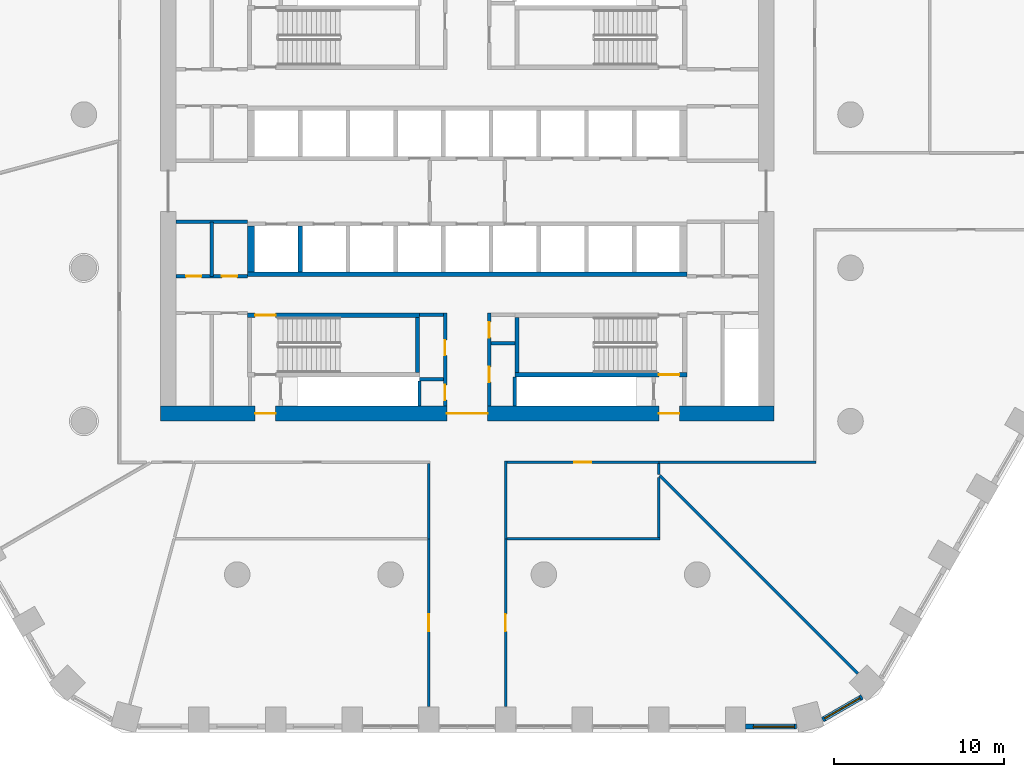
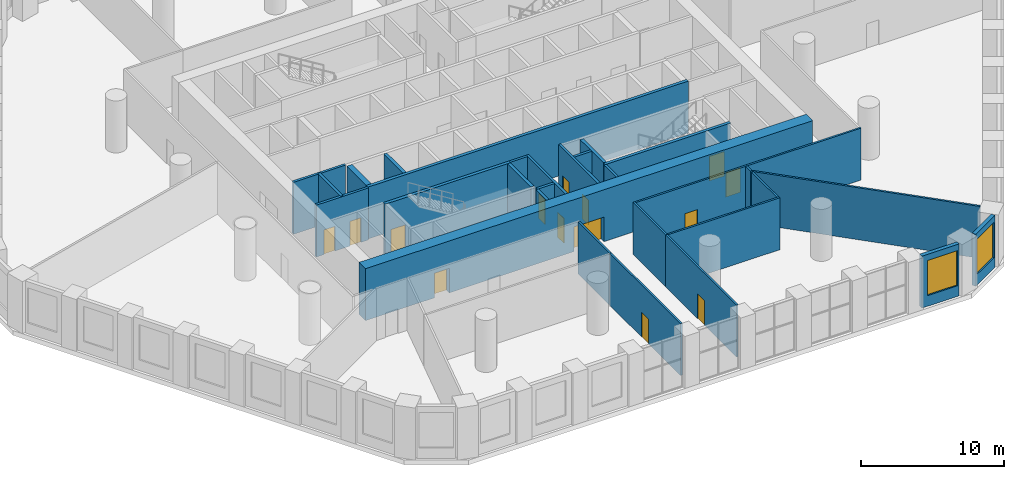
# One storey, part 6 of 13: 30 walls, 14 doors, 2 windows, 16 openings.
"""IFC4 building model written with IfcOpenShell, lengths in metres."""

from ifc_helpers import new_model, si_unit, direction, frame, frame_2d, origin, place, context, subcontext, project, spatial, polyline, rectangle, outline, extrude, material, layer, layer_set, type_object, element, fill, save


model = new_model("IFC4")

# Units and contexts
model_context = context("Model", 3, precision=1e-05, world=origin(), true_north=direction((0.0, 1.0)))
body_context = subcontext(model_context, "Body", "Model", "MODEL_VIEW")
ifc_project = project(units=[si_unit("LENGTHUNIT", "METRE"), si_unit("AREAUNIT", "SQUARE_METRE"), si_unit("VOLUMEUNIT", "CUBIC_METRE"), si_unit("PLANEANGLEUNIT", "RADIAN"), si_unit("MASSUNIT", "GRAM", prefix="KILO")], contexts=[model_context])

# Site, building, storey
site_placement = place(None, origin())
site = spatial("IfcSite", under=ifc_project, at=site_placement, CompositionType="ELEMENT")
building_placement = place(site_placement, origin())
building = spatial("IfcBuilding", under=site, at=building_placement, Name="Dhurran Vertical Campus", CompositionType="ELEMENT")
storey_placement = place(building_placement, frame((0.0, 0.0, 25.199951171875)))
storey = spatial("IfcBuildingStorey", under=building, at=storey_placement, Name="L05", CompositionType="ELEMENT", Elevation=25.199951171875)

# Wall, opening, window
ifc_material_1 = material(Name="Precast concrete C50/60", Category="concrete")
ifc_layer_1 = layer(ifc_material_1, 0.300048828125)
ifc_layer_set_1 = layer_set([ifc_layer_1], Name="Precast concrete C50/60")
wall_type_1 = type_object("IfcWallType", Name="Precast spandrel wall 300", PredefinedType="SOLIDWALL", material=ifc_layer_set_1)
wall_1_placement = place(storey_placement, frame((16.3505859375, -31.4296875, 0.0), z_axis=(0.0, 0.0, 1.0), x_axis=(1.0, 0.0, 0.0)))
wall_1 = element("IfcWall", 1, at=wall_1_placement, inside=storey, type_object=wall_type_1, Name="EW1 L05.08", PredefinedType="SOLIDWALL", context=body_context, shape_type="SweptSolid", body=[
    extrude(rectangle(XDim=2.98876953125, YDim=0.300048828125, at=frame_2d((1.494384765625, 0.0))), origin(), (0.0, 0.0, 1.0), 4.425048828125),
])
opening_1_placement = place(wall_1_placement, frame((0.449462890625, 0.0, 0.89990234375)))
opening_1 = element("IfcOpeningElement", 2, at=opening_1_placement, cuts=wall_1, Name="Opening WT2", PredefinedType="OPENING", context=body_context, shape_type="SweptSolid", body=[
    extrude(rectangle(XDim=2.39990234375, YDim=3.0, at=frame_2d((1.199951171875, 1.5))), frame((0.0, 0.159912109375, 0.0), z_axis=(0.0, -1.0, 0.0), x_axis=(1.0, 0.0, 0.0)), (0.0, 0.0, 1.0), 0.320068359375),
])
ifc_material_2 = material(Name="Aluminium frame with solar-control glass", Category="aluminium")
window_type = type_object("IfcWindowType", Name="Podium window 2400 x 3000", PartitioningType="SINGLE_PANEL", PredefinedType="WINDOW", material=ifc_material_2)
window_1_placement = place(opening_1_placement, origin())
window_1 = element("IfcWindow", 3, at=window_1_placement, inside=storey, type_object=window_type, Name="WT2 L05.08", OverallHeight=3.0, OverallWidth=2.39990234375, PartitioningType="SINGLE_PANEL", PredefinedType="WINDOW", context=body_context, shape_type="SweptSolid", body=[
    extrude(rectangle(XDim=2.39990234375, YDim=3.0, at=frame_2d((1.199951171875, 1.5))), frame((0.0, 0.030029296875, 0.0), z_axis=(0.0, -1.0, 0.0), x_axis=(1.0, 0.0, 0.0)), (0.0, 0.0, 1.0), 0.06005859375),
])
fill(opening_1, window_1)

wall_2_placement = place(storey_placement, frame((20.86376953125, -31.021240234375, 0.0), z_axis=(0.0, 0.0, 1.0), x_axis=(0.866001915448, 0.500040680786, 0.0)))
wall_2 = element("IfcWall", 4, at=wall_2_placement, inside=storey, type_object=wall_type_1, Name="EW1 L05.09", PredefinedType="SOLIDWALL", context=body_context, shape_type="SweptSolid", body=[
    extrude(rectangle(XDim=2.678466796875, YDim=0.300048828125, at=frame_2d((1.33935546875, 0.0))), origin(), (0.0, 0.0, 1.0), 4.425048828125),
])
opening_2_placement = place(wall_2_placement, frame((0.139404296875, 0.0, 0.89990234375)))
opening_2 = element("IfcOpeningElement", 5, at=opening_2_placement, cuts=wall_2, Name="Opening WT2", PredefinedType="OPENING", context=body_context, shape_type="SweptSolid", body=[
    extrude(rectangle(XDim=2.39990234375, YDim=3.0, at=frame_2d((1.199951171875, 1.5))), frame((0.0, 0.159912109375, 0.0), z_axis=(0.0, -1.0, 0.0), x_axis=(1.0, 0.0, 0.0)), (0.0, 0.0, 1.0), 0.320068359375),
])
window_2_placement = place(opening_2_placement, origin())
window_2 = element("IfcWindow", 6, at=window_2_placement, inside=storey, type_object=window_type, Name="WT2 L05.09", OverallHeight=3.0, OverallWidth=2.39990234375, PartitioningType="SINGLE_PANEL", PredefinedType="WINDOW", context=body_context, shape_type="SweptSolid", body=[
    extrude(rectangle(XDim=2.39990234375, YDim=3.0, at=frame_2d((1.199951171875, 1.5))), frame((0.0, 0.030029296875, 0.0), z_axis=(0.0, -1.0, 0.0), x_axis=(1.0, 0.0, 0.0)), (0.0, 0.0, 1.0), 0.06005859375),
])
fill(opening_2, window_2)

# Wall, openings, doors
ifc_material_3 = material(Name="Concrete C60/75", Category="concrete")
ifc_layer_2 = layer(ifc_material_3, 0.89990234375)
ifc_layer_set_2 = layer_set([ifc_layer_2], Name="Concrete C60/75")
wall_type_2 = type_object("IfcWallType", Name="co-CORE-WALL-C0-900", PredefinedType="SHEAR", material=ifc_layer_set_2)
wall_3_placement = place(storey_placement, frame((-18.0, -13.050048828125, 0.0), z_axis=(0.0, 0.0, 1.0), x_axis=(1.0, 0.0, 0.0)))
wall_3 = element("IfcWall", 7, at=wall_3_placement, inside=storey, type_object=wall_type_2, Name="Core wall S L05", PredefinedType="SHEAR", context=body_context, shape_type="SweptSolid", body=[
    extrude(rectangle(XDim=36.0, YDim=0.89990234375, at=frame_2d((18.0, 0.0))), origin(), (0.0, 0.0, 1.0), 4.425048828125),
])
opening_3_placement = place(wall_3_placement, frame((16.800048828125, 0.0, 0.0)))
opening_3 = element("IfcOpeningElement", 8, at=opening_3_placement, cuts=wall_3, Name="Opening CV2", PredefinedType="OPENING", context=body_context, shape_type="SweptSolid", body=[
    extrude(rectangle(XDim=2.39990234375, YDim=2.10009765625, at=frame_2d((1.199951171875, 1.050048828125))), frame((0.0, 0.4599609375, 0.0), z_axis=(0.0, -1.0, 0.0), x_axis=(1.0, 0.0, 0.0)), (0.0, 0.0, 1.0), 0.919921875),
])
opening_4_placement = place(wall_3_placement, frame((5.550048828125, 0.0, 0.0)))
opening_4 = element("IfcOpeningElement", 9, at=opening_4_placement, cuts=wall_3, Name="Opening XD3", PredefinedType="OPENING", context=body_context, shape_type="SweptSolid", body=[
    extrude(rectangle(XDim=1.199951171875, YDim=2.10009765625, at=frame_2d((0.60009765625, 1.050048828125))), frame((0.0, 0.4599609375, 0.0), z_axis=(0.0, -1.0, 0.0), x_axis=(1.0, 0.0, 0.0)), (0.0, 0.0, 1.0), 0.919921875),
])
opening_5_placement = place(wall_3_placement, frame((29.25, 0.0, 0.0)))
opening_5 = element("IfcOpeningElement", 10, at=opening_5_placement, cuts=wall_3, Name="Opening XD4", PredefinedType="OPENING", context=body_context, shape_type="SweptSolid", body=[
    extrude(rectangle(XDim=1.199951171875, YDim=2.10009765625, at=frame_2d((0.60009765625, 1.050048828125))), frame((0.0, 0.4599609375, 0.0), z_axis=(0.0, -1.0, 0.0), x_axis=(1.0, 0.0, 0.0)), (0.0, 0.0, 1.0), 0.919921875),
])
ifc_material_4 = material(Name="Fire-rated glazed door set")
door_type_1 = type_object("IfcDoorType", Name="co-D-LOBBY 2400x2100", OperationType="DOUBLE_DOOR_DOUBLE_SWING", PredefinedType="DOOR", material=ifc_material_4)
door_1_placement = place(opening_3_placement, origin())
door_1 = element("IfcDoor", 11, at=door_1_placement, inside=storey, type_object=door_type_1, Name="Core vestibule door S L05", OperationType="DOUBLE_DOOR_DOUBLE_SWING", OverallHeight=2.10009765625, OverallWidth=2.39990234375, PredefinedType="DOOR", context=body_context, shape_type="SweptSolid", body=[
    extrude(rectangle(XDim=2.39990234375, YDim=2.10009765625, at=frame_2d((1.199951171875, 1.050048828125))), frame((0.0, 0.02490234375, 0.0), z_axis=(0.0, -1.0, 0.0), x_axis=(1.0, 0.0, 0.0)), (0.0, 0.0, 1.0), 0.050048828125),
])
fill(opening_3, door_1)
ifc_material_5 = material(Name="Fire-rated steel door set", Category="steel")
door_type_2 = type_object("IfcDoorType", Name="co-D-STAIR-EXIT 1200x2100", OperationType="SINGLE_SWING_RIGHT", PredefinedType="DOOR", material=ifc_material_5)
door_2_placement = place(opening_4_placement, origin())
door_2 = element("IfcDoor", 12, at=door_2_placement, inside=storey, type_object=door_type_2, Name="Stair ST3 exit door L05", OperationType="SINGLE_SWING_RIGHT", OverallHeight=2.10009765625, OverallWidth=1.199951171875, PredefinedType="DOOR", context=body_context, shape_type="SweptSolid", body=[
    extrude(rectangle(XDim=1.199951171875, YDim=2.10009765625, at=frame_2d((0.60009765625, 1.050048828125))), frame((0.0, 0.02490234375, 0.0), z_axis=(0.0, -1.0, 0.0), x_axis=(1.0, 0.0, 0.0)), (0.0, 0.0, 1.0), 0.050048828125),
])
fill(opening_4, door_2)
door_3_placement = place(opening_5_placement, origin())
door_3 = element("IfcDoor", 13, at=door_3_placement, inside=storey, type_object=door_type_2, Name="Stair ST4 exit door L05", OperationType="SINGLE_SWING_RIGHT", OverallHeight=2.10009765625, OverallWidth=1.199951171875, PredefinedType="DOOR", context=body_context, shape_type="SweptSolid", body=[
    extrude(rectangle(XDim=1.199951171875, YDim=2.10009765625, at=frame_2d((0.60009765625, 1.050048828125))), frame((0.0, 0.02490234375, 0.0), z_axis=(0.0, -1.0, 0.0), x_axis=(1.0, 0.0, 0.0)), (0.0, 0.0, 1.0), 0.050048828125),
])
fill(opening_5, door_3)

# Walls
ifc_material_6 = material(Name="Fire-rated masonry blockwork", Category="masonry")
ifc_layer_3 = layer(ifc_material_6, 0.199951171875)
ifc_layer_set_3 = layer_set([ifc_layer_3], Name="Fire-rated masonry blockwork")
wall_type_3 = type_object("IfcWallType", Name="co-FIRE-PARTITION-200", PredefinedType="PARTITIONING", material=ifc_layer_set_3)
for number, where, z_axis, x_axis, name in (
    (14, (-2.800048828125, -7.25, 0.0), (0.0, 0.0, 1.0), (1.0, 0.0, 0.0), "Core partition sl-SW-S L05"),
    (15, (-2.800048828125, -11.02490234375, 0.0), (0.0, 0.0, 1.0), (1.0, 0.0, 0.0), "Core partition sl-SW-cut0 L05"),
    (16, (1.39990234375, -8.925048828125, 0.0), (0.0, 0.0, 1.0), (1.0, 0.0, 0.0), "Core partition sl-SE-cut0 L05"),
):
    element("IfcWall", number, at=place(storey_placement, frame(where, z_axis=z_axis, x_axis=x_axis)), inside=storey, type_object=wall_type_3, Name=name, PredefinedType="PARTITIONING", context=body_context, shape_type="SweptSolid", body=[
        extrude(rectangle(XDim=1.400146484375, YDim=0.199951171875, at=frame_2d((0.7001953125, 0.0))), origin(), (0.0, 0.0, 1.0), 4.425048828125),
    ])

# Wall, openings, doors
wall_4_placement = place(storey_placement, frame((-1.300048828125, -12.60009765625, 0.0), z_axis=(0.0, 0.0, 1.0), x_axis=(0.0, 1.0, 0.0)))
wall_4 = element("IfcWall", 17, at=wall_4_placement, inside=storey, type_object=wall_type_3, Name="Core partition vest-SW L05", PredefinedType="PARTITIONING", context=body_context, shape_type="SweptSolid", body=[
    extrude(rectangle(XDim=5.4501953125, YDim=0.199951171875, at=frame_2d((2.72509765625, 0.0))), origin(), (0.0, 0.0, 1.0), 4.425048828125),
])
opening_6_placement = place(wall_4_placement, frame((0.33740234375, 0.0, 0.0)))
opening_6 = element("IfcOpeningElement", 18, at=opening_6_placement, cuts=wall_4, Name="Opening PD05-C1", PredefinedType="OPENING", context=body_context, shape_type="SweptSolid", body=[
    extrude(rectangle(XDim=0.89990234375, YDim=2.10009765625, at=frame_2d((0.449951171875, 1.050048828125))), frame((0.0, 0.10986328125, 0.0), z_axis=(0.0, -1.0, 0.0), x_axis=(1.0, 0.0, 0.0)), (0.0, 0.0, 1.0), 0.219970703125),
])
opening_7_placement = place(wall_4_placement, frame((2.96240234375, 0.0, 0.0)))
opening_7 = element("IfcOpeningElement", 19, at=opening_7_placement, cuts=wall_4, Name="Opening PD05-C2", PredefinedType="OPENING", context=body_context, shape_type="SweptSolid", body=[
    extrude(rectangle(XDim=0.89990234375, YDim=2.10009765625, at=frame_2d((0.449951171875, 1.050048828125))), frame((0.0, 0.10986328125, 0.0), z_axis=(0.0, -1.0, 0.0), x_axis=(1.0, 0.0, 0.0)), (0.0, 0.0, 1.0), 0.219970703125),
])
ifc_material_7 = material(Name="Fire-rated timber door set", Category="wood")
door_type_3 = type_object("IfcDoorType", Name="co-D-ROOM 900x2100", OperationType="SINGLE_SWING_LEFT", PredefinedType="DOOR", material=ifc_material_7)
door_4_placement = place(opening_6_placement, origin())
door_4 = element("IfcDoor", 20, at=door_4_placement, inside=storey, type_object=door_type_3, Name="Store door L05", OperationType="SINGLE_SWING_LEFT", OverallHeight=2.10009765625, OverallWidth=0.89990234375, PredefinedType="DOOR", context=body_context, shape_type="SweptSolid", body=[
    extrude(rectangle(XDim=0.89990234375, YDim=2.10009765625, at=frame_2d((0.449951171875, 1.050048828125))), frame((0.0, 0.02490234375, 0.0), z_axis=(0.0, -1.0, 0.0), x_axis=(1.0, 0.0, 0.0)), (0.0, 0.0, 1.0), 0.050048828125),
])
fill(opening_6, door_4)
door_5_placement = place(opening_7_placement, origin())
door_5 = element("IfcDoor", 21, at=door_5_placement, inside=storey, type_object=door_type_3, Name="Server room door L05", OperationType="SINGLE_SWING_LEFT", OverallHeight=2.10009765625, OverallWidth=0.89990234375, PredefinedType="DOOR", context=body_context, shape_type="SweptSolid", body=[
    extrude(rectangle(XDim=0.89990234375, YDim=2.10009765625, at=frame_2d((0.449951171875, 1.050048828125))), frame((0.0, 0.02490234375, 0.0), z_axis=(0.0, -1.0, 0.0), x_axis=(1.0, 0.0, 0.0)), (0.0, 0.0, 1.0), 0.050048828125),
])
fill(opening_7, door_5)

wall_5_placement = place(storey_placement, frame((1.300048828125, -12.60009765625, 0.0), z_axis=(0.0, 0.0, 1.0), x_axis=(0.0, 1.0, 0.0)))
wall_5 = element("IfcWall", 22, at=wall_5_placement, inside=storey, type_object=wall_type_3, Name="Core partition vest-SE L05", PredefinedType="PARTITIONING", context=body_context, shape_type="SweptSolid", body=[
    extrude(rectangle(XDim=5.4501953125, YDim=0.199951171875, at=frame_2d((2.72509765625, 0.0))), origin(), (0.0, 0.0, 1.0), 4.425048828125),
])
opening_8_placement = place(wall_5_placement, frame((1.387451171875, 0.0, 0.0)))
opening_8 = element("IfcOpeningElement", 23, at=opening_8_placement, cuts=wall_5, Name="Opening PD05-C3", PredefinedType="OPENING", context=body_context, shape_type="SweptSolid", body=[
    extrude(rectangle(XDim=0.89990234375, YDim=2.10009765625, at=frame_2d((0.449951171875, 1.050048828125))), frame((0.0, 0.10986328125, 0.0), z_axis=(0.0, -1.0, 0.0), x_axis=(1.0, 0.0, 0.0)), (0.0, 0.0, 1.0), 0.219970703125),
])
opening_9_placement = place(wall_5_placement, frame((4.012451171875, 0.0, 0.0)))
opening_9 = element("IfcOpeningElement", 24, at=opening_9_placement, cuts=wall_5, Name="Opening PD05-C4", PredefinedType="OPENING", context=body_context, shape_type="SweptSolid", body=[
    extrude(rectangle(XDim=0.89990234375, YDim=2.10009765625, at=frame_2d((0.449951171875, 1.050048828125))), frame((0.0, 0.10986328125, 0.0), z_axis=(0.0, -1.0, 0.0), x_axis=(1.0, 0.0, 0.0)), (0.0, 0.0, 1.0), 0.219970703125),
])
door_6_placement = place(opening_8_placement, origin())
door_6 = element("IfcDoor", 25, at=door_6_placement, inside=storey, type_object=door_type_3, Name="Waste room door L05", OperationType="SINGLE_SWING_LEFT", OverallHeight=2.10009765625, OverallWidth=0.89990234375, PredefinedType="DOOR", context=body_context, shape_type="SweptSolid", body=[
    extrude(rectangle(XDim=0.89990234375, YDim=2.10009765625, at=frame_2d((0.449951171875, 1.050048828125))), frame((0.0, 0.02490234375, 0.0), z_axis=(0.0, -1.0, 0.0), x_axis=(1.0, 0.0, 0.0)), (0.0, 0.0, 1.0), 0.050048828125),
])
fill(opening_8, door_6)
door_7_placement = place(opening_9_placement, origin())
door_7 = element("IfcDoor", 26, at=door_7_placement, inside=storey, type_object=door_type_3, Name="Housekeeping store door L05", OperationType="SINGLE_SWING_LEFT", OverallHeight=2.10009765625, OverallWidth=0.89990234375, PredefinedType="DOOR", context=body_context, shape_type="SweptSolid", body=[
    extrude(rectangle(XDim=0.89990234375, YDim=2.10009765625, at=frame_2d((0.449951171875, 1.050048828125))), frame((0.0, 0.02490234375, 0.0), z_axis=(0.0, -1.0, 0.0), x_axis=(1.0, 0.0, 0.0)), (0.0, 0.0, 1.0), 0.050048828125),
])
fill(opening_9, door_7)

# Wall
wall_6_placement = place(storey_placement, frame((-15.0, -5.0, 0.0), z_axis=(0.0, 0.0, 1.0), x_axis=(0.0, 1.0, 0.0)))
element("IfcWall", 27, at=wall_6_placement, inside=storey, type_object=wall_type_3, Name="Core partition es-SW-cut0 L05", PredefinedType="PARTITIONING", context=body_context, shape_type="SweptSolid", body=[
    extrude(rectangle(XDim=3.199951171875, YDim=0.199951171875, at=frame_2d((1.60009765625, 0.0))), origin(), (0.0, 0.0, 1.0), 4.425048828125),
])

# Wall, openings, doors
wall_7_placement = place(storey_placement, frame((-17.10009765625, -5.0, 0.0), z_axis=(0.0, 0.0, 1.0), x_axis=(1.0, 0.0, 0.0)))
wall_7 = element("IfcWall", 28, at=wall_7_placement, inside=storey, type_object=wall_type_3, Name="Core partition es-SW-w L05", PredefinedType="PARTITIONING", context=body_context, shape_type="SweptSolid", body=[
    extrude(rectangle(XDim=4.2001953125, YDim=0.199951171875, at=frame_2d((2.10009765625, 0.0))), origin(), (0.0, 0.0, 1.0), 4.425048828125),
])
opening_10_placement = place(wall_7_placement, frame((0.60009765625, 0.0, 0.0)))
opening_10 = element("IfcOpeningElement", 29, at=opening_10_placement, cuts=wall_7, Name="Opening PD05-C20", PredefinedType="OPENING", context=body_context, shape_type="SweptSolid", body=[
    extrude(rectangle(XDim=0.89990234375, YDim=2.10009765625, at=frame_2d((0.449951171875, 1.050048828125))), frame((0.0, 0.10986328125, 0.0), z_axis=(0.0, -1.0, 0.0), x_axis=(1.0, 0.0, 0.0)), (0.0, 0.0, 1.0), 0.219970703125),
])
opening_11_placement = place(wall_7_placement, frame((2.699951171875, 0.0, 0.0)))
opening_11 = element("IfcOpeningElement", 30, at=opening_11_placement, cuts=wall_7, Name="Opening PD05-C21", PredefinedType="OPENING", context=body_context, shape_type="SweptSolid", body=[
    extrude(rectangle(XDim=0.89990234375, YDim=2.10009765625, at=frame_2d((0.449951171875, 1.050048828125))), frame((0.0, 0.10986328125, 0.0), z_axis=(0.0, -1.0, 0.0), x_axis=(1.0, 0.0, 0.0)), (0.0, 0.0, 1.0), 0.219970703125),
])
door_8_placement = place(opening_10_placement, origin())
door_8 = element("IfcDoor", 31, at=door_8_placement, inside=storey, type_object=door_type_3, Name="Housekeeping store door L05", OperationType="SINGLE_SWING_LEFT", OverallHeight=2.10009765625, OverallWidth=0.89990234375, PredefinedType="DOOR", context=body_context, shape_type="SweptSolid", body=[
    extrude(rectangle(XDim=0.89990234375, YDim=2.10009765625, at=frame_2d((0.449951171875, 1.050048828125))), frame((0.0, 0.02490234375, 0.0), z_axis=(0.0, -1.0, 0.0), x_axis=(1.0, 0.0, 0.0)), (0.0, 0.0, 1.0), 0.050048828125),
])
fill(opening_10, door_8)
door_9_placement = place(opening_11_placement, origin())
door_9 = element("IfcDoor", 32, at=door_9_placement, inside=storey, type_object=door_type_3, Name="Electrical riser door L05", OperationType="SINGLE_SWING_LEFT", OverallHeight=2.10009765625, OverallWidth=0.89990234375, PredefinedType="DOOR", context=body_context, shape_type="SweptSolid", body=[
    extrude(rectangle(XDim=0.89990234375, YDim=2.10009765625, at=frame_2d((0.449951171875, 1.050048828125))), frame((0.0, 0.02490234375, 0.0), z_axis=(0.0, -1.0, 0.0), x_axis=(1.0, 0.0, 0.0)), (0.0, 0.0, 1.0), 0.050048828125),
])
fill(opening_11, door_9)

# Walls
wall_8_placement = place(storey_placement, frame((-17.10009765625, -1.800048828125, 0.0), z_axis=(0.0, 0.0, 1.0), x_axis=(1.0, 0.0, 0.0)))
element("IfcWall", 33, at=wall_8_placement, inside=storey, type_object=wall_type_3, Name="Core partition es-SW-l L05", PredefinedType="PARTITIONING", context=body_context, shape_type="SweptSolid", body=[
    extrude(rectangle(XDim=4.2001953125, YDim=0.199951171875, at=frame_2d((2.10009765625, 0.0))), origin(), (0.0, 0.0, 1.0), 4.425048828125),
])
wall_9_placement = place(storey_placement, frame((-2.800048828125, -12.59912109375, 0.0), z_axis=(0.0, 0.0, 1.0), x_axis=(0.0, 1.0, 0.0)))
element("IfcWall", 34, at=wall_9_placement, inside=storey, type_object=wall_type_3, Name="Riser enclosure wall L05", PredefinedType="PARTITIONING", context=body_context, shape_type="SweptSolid", body=[
    extrude(rectangle(XDim=1.47314453125, YDim=0.199951171875, at=frame_2d((0.736572265625, 0.0))), origin(), (0.0, 0.0, 1.0), 4.425048828125),
])
wall_10_placement = place(storey_placement, frame((2.800048828125, -10.90087890625, 0.0), z_axis=(0.0, 0.0, 1.0), x_axis=(0.0, -1.0, 0.0)))
element("IfcWall", 35, at=wall_10_placement, inside=storey, type_object=wall_type_3, Name="Riser enclosure wall L05", PredefinedType="PARTITIONING", context=body_context, shape_type="SweptSolid", body=[
    extrude(rectangle(XDim=1.6982421875, YDim=0.199951171875, at=frame_2d((0.84912109375, 0.0))), origin(), (0.0, 0.0, 1.0), 4.425048828125),
])
ifc_material_8 = material(Name="Concrete C50/60", Category="concrete")
ifc_layer_4 = layer(ifc_material_8, 0.25)
ifc_layer_set_4 = layer_set([ifc_layer_4], Name="Concrete C50/60")
wall_type_4 = type_object("IfcWallType", Name="co-SHAFT-MASS-250", PredefinedType="SHEAR", material=ifc_layer_set_4)
wall_11_placement = place(storey_placement, origin())
element("IfcWall", 36, at=wall_11_placement, inside=storey, type_object=wall_type_4, Name="Lift shaft wall S L05 1", PredefinedType="SHEAR", context=body_context, shape_type="SweptSolid", body=[
    extrude(outline(polyline([(-12.89990234375, -5.0), (12.89990234375, -5.0), (12.89990234375, -4.75), (-12.89990234375, -4.75), (-12.89990234375, -5.0)])), origin(), (0.0, 0.0, 1.0), 4.425048828125),
])
wall_12_placement = place(storey_placement, origin())
element("IfcWall", 37, at=wall_12_placement, inside=storey, type_object=wall_type_4, Name="Lift shaft wall S L05 2", PredefinedType="SHEAR", context=body_context, shape_type="SweptSolid", body=[
    extrude(outline(polyline([(-12.89990234375, -4.75), (-12.47509765625, -4.75), (-12.47509765625, -2.050048828125), (-12.89990234375, -2.050048828125), (-12.89990234375, -4.75)])), origin(), (0.0, 0.0, 1.0), 4.425048828125),
])
wall_13_placement = place(storey_placement, origin())
element("IfcWall", 38, at=wall_13_placement, inside=storey, type_object=wall_type_4, Name="Lift shaft wall S L05 3", PredefinedType="SHEAR", context=body_context, shape_type="SweptSolid", body=[
    extrude(outline(polyline([(-9.925048828125, -4.75), (-9.675048828125, -4.75), (-9.675048828125, -2.050048828125), (-9.925048828125, -2.050048828125), (-9.925048828125, -4.75)])), origin(), (0.0, 0.0, 1.0), 4.425048828125),
])

# Wall, opening, door
ifc_material_9 = material(Name="Concrete C40/50", Category="concrete")
ifc_layer_5 = layer(ifc_material_9, 0.25)
ifc_layer_set_5 = layer_set([ifc_layer_5], Name="Concrete C40/50")
wall_type_5 = type_object("IfcWallType", Name="co-STAIR-WALL-250", PredefinedType="SHEAR", material=ifc_layer_set_5)
wall_14_placement = place(storey_placement, frame((-12.89990234375, -7.27490234375, 0.0), z_axis=(0.0, 0.0, 1.0), x_axis=(1.0, 0.0, 0.0)))
wall_14 = element("IfcWall", 39, at=wall_14_placement, inside=storey, type_object=wall_type_5, Name="Stair ST3 enclosure wall L05", PredefinedType="SHEAR", context=body_context, shape_type="SweptSolid", body=[
    extrude(rectangle(XDim=10.099853515625, YDim=0.25, at=frame_2d((5.0498046875, 0.0))), origin(), (0.0, 0.0, 1.0), 4.425048828125),
])
opening_12_placement = place(wall_14_placement, frame((0.449951171875, 0.0, 0.0)))
opening_12 = element("IfcOpeningElement", 40, at=opening_12_placement, cuts=wall_14, Name="Opening SD3", PredefinedType="OPENING", context=body_context, shape_type="SweptSolid", body=[
    extrude(rectangle(XDim=1.199951171875, YDim=2.10009765625, at=frame_2d((0.60009765625, 1.050048828125))), frame((0.0, 0.135009765625, 0.0), z_axis=(0.0, -1.0, 0.0), x_axis=(1.0, 0.0, 0.0)), (0.0, 0.0, 1.0), 0.27001953125),
])
ifc_material_10 = material(Name="Fire-rated steel door set", Category="steel")
door_type_4 = type_object("IfcDoorType", Name="co-D-STAIR 1200x2100", OperationType="SINGLE_SWING_LEFT", PredefinedType="DOOR", material=ifc_material_10)
door_10_placement = place(opening_12_placement, origin())
door_10 = element("IfcDoor", 41, at=door_10_placement, inside=storey, type_object=door_type_4, Name="Stair ST3 door L05", OperationType="SINGLE_SWING_LEFT", OverallHeight=2.10009765625, OverallWidth=1.199951171875, PredefinedType="DOOR", context=body_context, shape_type="SweptSolid", body=[
    extrude(rectangle(XDim=1.199951171875, YDim=2.10009765625, at=frame_2d((0.60009765625, 1.050048828125))), frame((0.0, 0.02490234375, 0.0), z_axis=(0.0, -1.0, 0.0), x_axis=(1.0, 0.0, 0.0)), (0.0, 0.0, 1.0), 0.050048828125),
])
fill(opening_12, door_10)

# Wall
wall_15_placement = place(storey_placement, frame((-2.925048828125, -10.64990234375, 0.0), z_axis=(0.0, 0.0, 1.0), x_axis=(0.0, 1.0, 0.0)))
element("IfcWall", 42, at=wall_15_placement, inside=storey, type_object=wall_type_5, Name="Stair ST3 enclosure wall L05", PredefinedType="SHEAR", context=body_context, shape_type="SweptSolid", body=[
    extrude(rectangle(XDim=3.25, YDim=0.25, at=frame_2d((1.625, 0.0))), origin(), (0.0, 0.0, 1.0), 4.425048828125),
])

# Wall, opening, door
wall_16_placement = place(storey_placement, frame((2.800048828125, -10.77490234375, 0.0), z_axis=(0.0, 0.0, 1.0), x_axis=(1.0, 0.0, 0.0)))
wall_16 = element("IfcWall", 43, at=wall_16_placement, inside=storey, type_object=wall_type_5, Name="Stair ST4 enclosure wall L05", PredefinedType="SHEAR", context=body_context, shape_type="SweptSolid", body=[
    extrude(rectangle(XDim=10.099853515625, YDim=0.25, at=frame_2d((5.0498046875, 0.0))), origin(), (0.0, 0.0, 1.0), 4.425048828125),
])
opening_13_placement = place(wall_16_placement, frame((8.449951171875, 0.0, 0.0)))
opening_13 = element("IfcOpeningElement", 44, at=opening_13_placement, cuts=wall_16, Name="Opening XS4", PredefinedType="OPENING", context=body_context, shape_type="SweptSolid", body=[
    extrude(rectangle(XDim=1.199951171875, YDim=2.10009765625, at=frame_2d((0.60009765625, 1.050048828125))), frame((0.0, 0.135009765625, 0.0), z_axis=(0.0, -1.0, 0.0), x_axis=(1.0, 0.0, 0.0)), (0.0, 0.0, 1.0), 0.27001953125),
])
door_11_placement = place(opening_13_placement, origin())
door_11 = element("IfcDoor", 45, at=door_11_placement, inside=storey, type_object=door_type_2, Name="Stair ST4 discharge door L05", OperationType="SINGLE_SWING_RIGHT", OverallHeight=2.10009765625, OverallWidth=1.199951171875, PredefinedType="DOOR", context=body_context, shape_type="SweptSolid", body=[
    extrude(rectangle(XDim=1.199951171875, YDim=2.10009765625, at=frame_2d((0.60009765625, 1.050048828125))), frame((0.0, 0.02490234375, 0.0), z_axis=(0.0, -1.0, 0.0), x_axis=(1.0, 0.0, 0.0)), (0.0, 0.0, 1.0), 0.050048828125),
])
fill(opening_13, door_11)

# Wall
wall_17_placement = place(storey_placement, frame((2.925048828125, -10.64990234375, 0.0), z_axis=(0.0, 0.0, 1.0), x_axis=(0.0, 1.0, 0.0)))
element("IfcWall", 46, at=wall_17_placement, inside=storey, type_object=wall_type_5, Name="Stair ST4 enclosure wall L05", PredefinedType="SHEAR", context=body_context, shape_type="SweptSolid", body=[
    extrude(rectangle(XDim=3.25, YDim=0.25, at=frame_2d((1.625, 0.0))), origin(), (0.0, 0.0, 1.0), 4.425048828125),
])

# Wall, opening, door
ifc_material_11 = material(Name="Gypsum board corridor wall on steel studs", Category="steel")
ifc_layer_6 = layer(ifc_material_11, 0.14990234375)
ifc_layer_set_6 = layer_set([ifc_layer_6], Name="Gypsum board corridor wall on steel studs")
wall_type_6 = type_object("IfcWallType", Name="fl-CW-150 corridor wall", PredefinedType="PARTITIONING", material=ifc_layer_set_6)
wall_18_placement = place(storey_placement, frame((-2.25, -30.259765625, 0.0), z_axis=(0.0, 0.0, 1.0), x_axis=(0.0, 1.0, 0.0)))
wall_18 = element("IfcWall", 47, at=wall_18_placement, inside=storey, type_object=wall_type_6, Name="Partition 05-14", PredefinedType="PARTITIONING", context=body_context, shape_type="SweptSolid", body=[
    extrude(rectangle(XDim=9.85986328125, YDim=0.14990234375, at=frame_2d((4.929931640625, 0.0))), origin(), (0.0, 0.0, 1.0), 4.425048828125),
])
opening_14_placement = place(wall_18_placement, frame((4.429931640625, 0.0, 0.0)))
opening_14 = element("IfcOpeningElement", 48, at=opening_14_placement, cuts=wall_18, Name="Opening PD05.04", PredefinedType="OPENING", context=body_context, shape_type="SweptSolid", body=[
    extrude(rectangle(XDim=1.0, YDim=2.10009765625, at=frame_2d((0.5, 1.050048828125))), frame((0.0, 0.0849609375, 0.0), z_axis=(0.0, -1.0, 0.0), x_axis=(1.0, 0.0, 0.0)), (0.0, 0.0, 1.0), 0.169921875),
])
ifc_material_12 = material(Name="Solid-core timber door set, fire-rated", Category="wood")
door_type_5 = type_object("IfcDoorType", Name="fl-D-1000x2100", OperationType="SINGLE_SWING_LEFT", PredefinedType="DOOR", material=ifc_material_12)
door_12_placement = place(opening_14_placement, origin())
door_12 = element("IfcDoor", 49, at=door_12_placement, inside=storey, type_object=door_type_5, Name="Door 05.04", OperationType="SINGLE_SWING_RIGHT", OverallHeight=2.10009765625, OverallWidth=1.0, PredefinedType="DOOR", context=body_context, shape_type="SweptSolid", body=[
    extrude(rectangle(XDim=1.0, YDim=2.10009765625, at=frame_2d((0.5, 1.050048828125))), frame((0.0, 0.02490234375, 0.0), z_axis=(0.0, -1.0, 0.0), x_axis=(1.0, 0.0, 0.0)), (0.0, 0.0, 1.0), 0.050048828125),
])
fill(opening_14, door_12)

# Wall
wall_19_placement = place(storey_placement, frame((-2.25, -20.39990234375, 0.0), z_axis=(0.0, 0.0, 1.0), x_axis=(0.0, 1.0, 0.0)))
element("IfcWall", 50, at=wall_19_placement, inside=storey, type_object=wall_type_6, Name="Partition 05-15", PredefinedType="PARTITIONING", context=body_context, shape_type="SweptSolid", body=[
    extrude(rectangle(XDim=4.4248046875, YDim=0.14990234375, at=frame_2d((2.21240234375, 0.0))), origin(), (0.0, 0.0, 1.0), 4.425048828125),
])

# Wall, opening, door
wall_20_placement = place(storey_placement, frame((2.25, -20.39990234375, 0.0), z_axis=(0.0, 0.0, 1.0), x_axis=(0.0, -1.0, 0.0)))
wall_20 = element("IfcWall", 51, at=wall_20_placement, inside=storey, type_object=wall_type_6, Name="Partition 05-17", PredefinedType="PARTITIONING", context=body_context, shape_type="SweptSolid", body=[
    extrude(rectangle(XDim=9.85986328125, YDim=0.14990234375, at=frame_2d((4.929931640625, 0.0))), origin(), (0.0, 0.0, 1.0), 4.425048828125),
])
opening_15_placement = place(wall_20_placement, frame((4.429931640625, 0.0, 0.0)))
opening_15 = element("IfcOpeningElement", 52, at=opening_15_placement, cuts=wall_20, Name="Opening PD05.09", PredefinedType="OPENING", context=body_context, shape_type="SweptSolid", body=[
    extrude(rectangle(XDim=1.0, YDim=2.10009765625, at=frame_2d((0.5, 1.050048828125))), frame((0.0, 0.0849609375, 0.0), z_axis=(0.0, -1.0, 0.0), x_axis=(1.0, 0.0, 0.0)), (0.0, 0.0, 1.0), 0.169921875),
])
door_13_placement = place(opening_15_placement, origin())
door_13 = element("IfcDoor", 53, at=door_13_placement, inside=storey, type_object=door_type_5, Name="Door 05.09", OperationType="SINGLE_SWING_RIGHT", OverallHeight=2.10009765625, OverallWidth=1.0, PredefinedType="DOOR", context=body_context, shape_type="SweptSolid", body=[
    extrude(rectangle(XDim=1.0, YDim=2.10009765625, at=frame_2d((0.5, 1.050048828125))), frame((0.0, 0.02490234375, 0.0), z_axis=(0.0, -1.0, 0.0), x_axis=(1.0, 0.0, 0.0)), (0.0, 0.0, 1.0), 0.050048828125),
])
fill(opening_15, door_13)

# Wall
wall_21_placement = place(storey_placement, frame((2.25, -15.824951171875, 0.0), z_axis=(0.0, 0.0, 1.0), x_axis=(0.0, -1.0, 0.0)))
element("IfcWall", 54, at=wall_21_placement, inside=storey, type_object=wall_type_6, Name="Partition 05-18", PredefinedType="PARTITIONING", context=body_context, shape_type="SweptSolid", body=[
    extrude(rectangle(XDim=4.574951171875, YDim=0.14990234375, at=frame_2d((2.28759765625, 0.0))), origin(), (0.0, 0.0, 1.0), 4.425048828125),
])

# Wall, opening, door
wall_22_placement = place(storey_placement, frame((2.324951171875, -15.89990234375, 0.0), z_axis=(0.0, 0.0, 1.0), x_axis=(1.0, 0.0, 0.0)))
wall_22 = element("IfcWall", 55, at=wall_22_placement, inside=storey, type_object=wall_type_6, Name="Partition 05-20", PredefinedType="PARTITIONING", context=body_context, shape_type="SweptSolid", body=[
    extrude(rectangle(XDim=8.925048828125, YDim=0.14990234375, at=frame_2d((4.46240234375, 0.0))), origin(), (0.0, 0.0, 1.0), 4.425048828125),
])
opening_16_placement = place(wall_22_placement, frame((3.96240234375, 0.0, 0.0)))
opening_16 = element("IfcOpeningElement", 56, at=opening_16_placement, cuts=wall_22, Name="Opening PD05.08", PredefinedType="OPENING", context=body_context, shape_type="SweptSolid", body=[
    extrude(rectangle(XDim=1.0, YDim=2.10009765625, at=frame_2d((0.5, 1.050048828125))), frame((0.0, 0.0849609375, 0.0), z_axis=(0.0, -1.0, 0.0), x_axis=(1.0, 0.0, 0.0)), (0.0, 0.0, 1.0), 0.169921875),
])
door_14_placement = place(opening_16_placement, origin())
door_14 = element("IfcDoor", 57, at=door_14_placement, inside=storey, type_object=door_type_5, Name="Door 05.08", OperationType="SINGLE_SWING_LEFT", OverallHeight=2.10009765625, OverallWidth=1.0, PredefinedType="DOOR", context=body_context, shape_type="SweptSolid", body=[
    extrude(rectangle(XDim=1.0, YDim=2.10009765625, at=frame_2d((0.5, 1.050048828125))), frame((0.0, 0.02490234375, 0.0), z_axis=(0.0, -1.0, 0.0), x_axis=(1.0, 0.0, 0.0)), (0.0, 0.0, 1.0), 0.050048828125),
])
fill(opening_16, door_14)

# Walls
wall_23_placement = place(storey_placement, frame((11.25, -15.89990234375, 0.0), z_axis=(0.0, 0.0, 1.0), x_axis=(1.0, 0.0, 0.0)))
element("IfcWall", 58, at=wall_23_placement, inside=storey, type_object=wall_type_6, Name="Partition 05-32", PredefinedType="PARTITIONING", context=body_context, shape_type="SweptSolid", body=[
    extrude(rectangle(XDim=9.22509765625, YDim=0.14990234375, at=frame_2d((4.612548828125, 0.0))), origin(), (0.0, 0.0, 1.0), 4.425048828125),
])
ifc_material_13 = material(Name="Gypsum board partition on steel studs", Category="steel")
ifc_layer_7 = layer(ifc_material_13, 0.14990234375)
ifc_layer_set_7 = layer_set([ifc_layer_7], Name="Gypsum board partition on steel studs")
wall_type_7 = type_object("IfcWallType", Name="fl-PW-150 fixed partition", PredefinedType="PARTITIONING", material=ifc_layer_set_7)
wall_24_placement = place(storey_placement, frame((11.324951171875, -20.39990234375, 0.0), z_axis=(0.0, 0.0, 1.0), x_axis=(-1.0, 0.0, 0.0)))
element("IfcWall", 59, at=wall_24_placement, inside=storey, type_object=wall_type_7, Name="Partition 05-19", PredefinedType="PARTITIONING", context=body_context, shape_type="SweptSolid", body=[
    extrude(rectangle(XDim=9.0, YDim=0.14990234375, at=frame_2d((4.5, 0.0))), origin(), (0.0, 0.0, 1.0), 4.425048828125),
])
wall_25_placement = place(storey_placement, frame((11.25, -16.80810546875, 0.0), z_axis=(0.0, 0.0, 1.0), x_axis=(0.0, -1.0, 0.0)))
element("IfcWall", 60, at=wall_25_placement, inside=storey, type_object=wall_type_7, Name="Partition 05-29", PredefinedType="PARTITIONING", context=body_context, shape_type="SweptSolid", body=[
    extrude(rectangle(XDim=3.516845703125, YDim=0.14990234375, at=frame_2d((1.75830078125, 0.0))), origin(), (0.0, 0.0, 1.0), 4.425048828125),
])
wall_26_placement = place(storey_placement, frame((11.25, -15.97509765625, 0.0), z_axis=(0.0, 0.0, 1.0), x_axis=(0.0, -1.0, 0.0)))
element("IfcWall", 61, at=wall_26_placement, inside=storey, type_object=wall_type_7, Name="Partition 05-30", PredefinedType="PARTITIONING", context=body_context, shape_type="SweptSolid", body=[
    extrude(rectangle(XDim=0.657958984375, YDim=0.14990234375, at=frame_2d((0.3291015625, 0.0))), origin(), (0.0, 0.0, 1.0), 4.425048828125),
])
wall_27_placement = place(storey_placement, frame((11.302978515625, -16.68603515625, 0.0), z_axis=(0.0, 0.0, 1.0), x_axis=(0.707114204919, -0.707099357376, 0.0)))
element("IfcWall", 62, at=wall_27_placement, inside=storey, type_object=wall_type_7, Name="Partition 05-31", PredefinedType="PARTITIONING", context=body_context, shape_type="SweptSolid", body=[
    extrude(rectangle(XDim=16.443115234375, YDim=0.14990234375, at=frame_2d((8.2216796875, 0.0))), origin(), (0.0, 0.0, 1.0), 4.425048828125),
])

save(model, "model.ifc")
